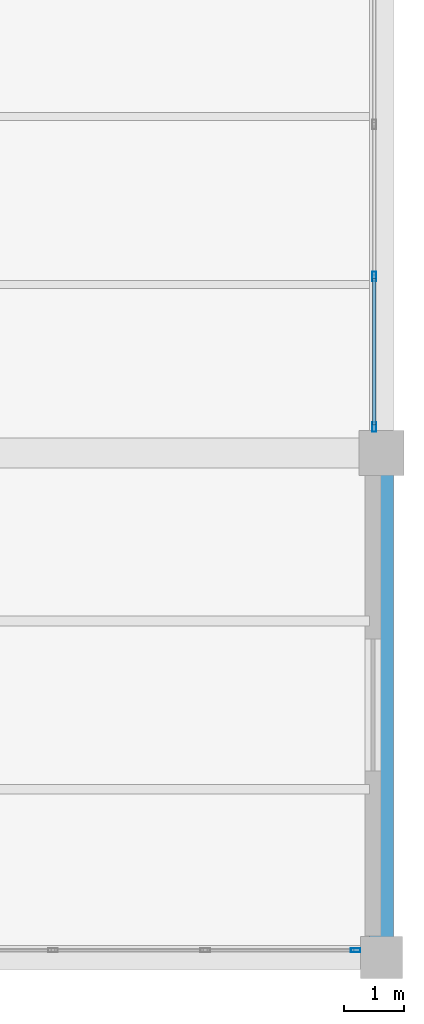
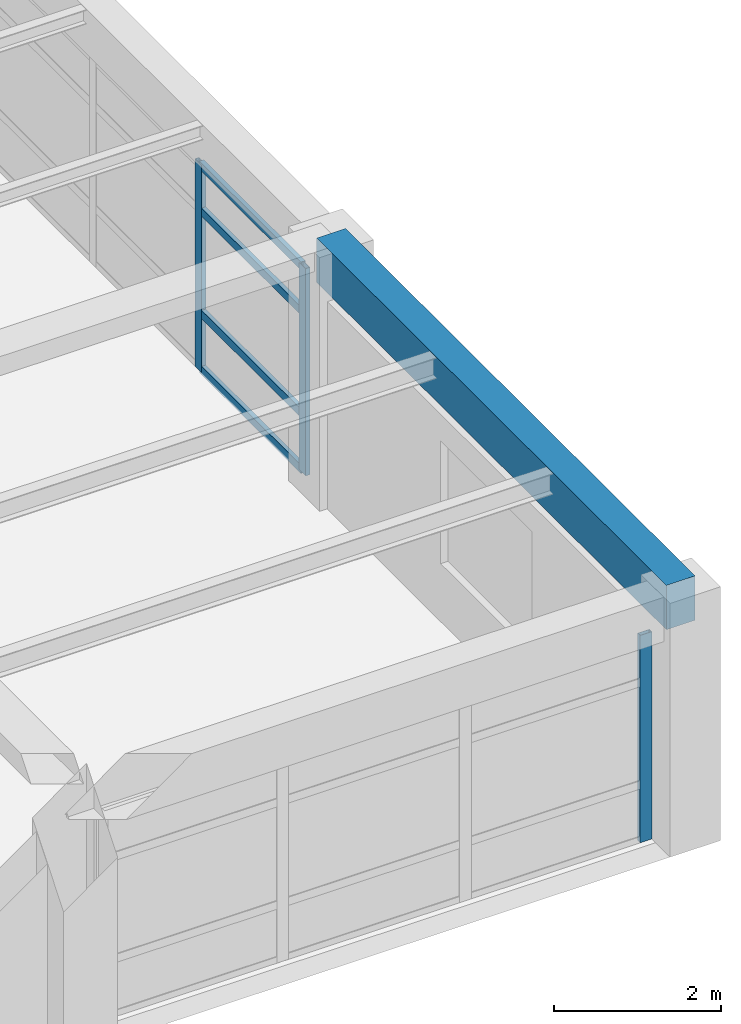
# One storey, part 15 of 31: 7 members, 1 beam, 2 elements without a shape of their own.
"""IFC4 building model written with IfcOpenShell, lengths in metres."""

import ifcopenshell
import ifcopenshell.guid

model = None  # the IFC model being written
_history = None  # IfcOwnerHistory: only IFC2X3 demands one
_inside = {}  # id of a spatial element -> (the spatial element, [elements in it])
_under = {}  # id of a project, library or spatial element -> (it, [spatial elements below it])
_declared = {}  # id of a project -> (the project, [libraries it declares])
_typed = {}  # id of a type object -> (the type object, [elements of that type])
_made_of = {}  # id of a material, layer set ... -> (it, [elements and type objects made of it])


def new_model(schema):
    """Start an empty IFC model of exactly this schema.

    Asked for "IFC4X3", IfcOpenShell would pick the latest addendum, in which some entities
    have other attributes; the version numbers below select the first issue.
    IFC2X3 requires an IfcOwnerHistory on every rooted entity: one is made here for all.
    """
    global model, _history
    if schema == "IFC4X3":
        model = ifcopenshell.file(schema_version=(4, 3, 0, 0))
    else:
        model = ifcopenshell.file(schema=schema)
    _inside.clear()
    _under.clear()
    _declared.clear()
    _typed.clear()
    _made_of.clear()
    _history = None
    if model.schema == "IFC2X3":
        org = make("IfcOrganization", Name="unknown")
        user = make(
            "IfcPersonAndOrganization",
            ThePerson=make("IfcPerson", FamilyName="unknown"),
            TheOrganization=org,
        )
        app = make(
            "IfcApplication",
            ApplicationDeveloper=org,
            Version="unknown",
            ApplicationFullName="unknown",
            ApplicationIdentifier="unknown",
        )
        _history = make(
            "IfcOwnerHistory",
            OwningUser=user,
            OwningApplication=app,
            ChangeAction="ADDED",
            CreationDate=0,
        )
    return model


def make(cls, **values):
    """One entity of the class cls with the attributes given. An attribute that is None is left unset."""
    return model.create_entity(
        cls, **{name: value for name, value in values.items() if value is not None}
    )


def rooted(cls, **values):
    """An entity with a GlobalId (a new one), such as an element, a storey or a relation."""
    return make(cls, GlobalId=ifcopenshell.guid.new(), OwnerHistory=_history, **values)


def si_unit(unit_type, name, prefix=None):
    """IfcSIUnit, for example si_unit("LENGTHUNIT", "METRE", prefix="MILLI")."""
    return make("IfcSIUnit", UnitType=unit_type, Prefix=prefix, Name=name)


def assignment(units):
    """IfcUnitAssignment: the units of a project."""
    return None if units is None else make("IfcUnitAssignment", Units=units)


def point(xyz):
    """IfcCartesianPoint."""
    return None if xyz is None else make("IfcCartesianPoint", Coordinates=xyz)


def direction(xyz):
    """IfcDirection."""
    return None if xyz is None else make("IfcDirection", DirectionRatios=xyz)


def frame(location, z_axis=None, x_axis=None):
    """IfcAxis2Placement3D, a coordinate frame: its origin and axes. An axis left out is left unset."""
    return make(
        "IfcAxis2Placement3D",
        Location=point(location),
        Axis=direction(z_axis),
        RefDirection=direction(x_axis),
    )


def frame_2d(location, x_axis=None):
    """IfcAxis2Placement2D, a coordinate frame in the plane: its origin and x axis."""
    return make(
        "IfcAxis2Placement2D", Location=point(location), RefDirection=direction(x_axis)
    )


def origin():
    """The frame at (0, 0, 0) with its axes left unset."""
    return frame((0.0, 0.0, 0.0))


def origin_2d():
    """The frame at (0, 0) in the plane with its x axis left unset."""
    return frame_2d((0.0, 0.0))


def place(relative_to, where):
    """IfcLocalPlacement: puts the frame where relative to a parent placement (None: the world)."""
    return make(
        "IfcLocalPlacement", PlacementRelTo=relative_to, RelativePlacement=where
    )


def context(
    kind, dimensions, precision=None, world=None, true_north=None, identifier=None
):
    """IfcGeometricRepresentationContext, for example the 3D "Model" context."""
    return make(
        "IfcGeometricRepresentationContext",
        ContextIdentifier=identifier,
        ContextType=kind,
        CoordinateSpaceDimension=dimensions,
        Precision=precision,
        WorldCoordinateSystem=world,
        TrueNorth=true_north,
    )


def subcontext(parent, identifier, kind, view, scale=None):
    """IfcGeometricRepresentationSubContext, for example "Body" below "Model"."""
    return make(
        "IfcGeometricRepresentationSubContext",
        ContextIdentifier=identifier,
        ContextType=kind,
        ParentContext=parent,
        TargetScale=scale,
        TargetView=view,
    )


def project(units=None, contexts=None):
    """IfcProject with its units and contexts."""
    return rooted(
        "IfcProject",
        Name="project",
        RepresentationContexts=contexts,
        UnitsInContext=assignment(units),
    )


def spatial(cls, under=None, at=None, **own):
    """A site, building, storey or space (cls), placed at a placement, below another one or the project."""
    s = rooted(cls, ObjectPlacement=at, **own)
    if under is not None:
        _under.setdefault(under.id(), (under, []))[1].append(s)
    return s


def profile(cls, at=None, kind="AREA", **sizes):
    """A parametric profile (cls). Its sizes go by their IFC names, for example OverallWidth=200.0."""
    return make(cls, ProfileType=kind, Position=at, **sizes)


def rectangle(**sizes):
    """IfcRectangleProfileDef."""
    return profile("IfcRectangleProfileDef", **sizes)


def hollow_rectangle(**sizes):
    """IfcRectangleHollowProfileDef."""
    return profile("IfcRectangleHollowProfileDef", **sizes)


def extrude(swept, where, along, depth):
    """IfcExtrudedAreaSolid: the profile swept, set in the frame where, extruded along a direction by depth."""
    return make(
        "IfcExtrudedAreaSolid",
        SweptArea=swept,
        Position=where,
        ExtrudedDirection=direction(along),
        Depth=depth,
    )


def shape(context_of_items, identifier, shape_type, items):
    """IfcShapeRepresentation: the items that make up one representation, for example the "Body"."""
    return make(
        "IfcShapeRepresentation",
        ContextOfItems=context_of_items,
        RepresentationIdentifier=identifier,
        RepresentationType=shape_type,
        Items=items,
    )


def material(Name=None, Category=None):
    """IfcMaterial."""
    return make("IfcMaterial", Name=Name, Category=Category)


def material_profile(
    of_material, cross_section, Name=None, Category=None, Priority=None
):
    """IfcMaterialProfile: a cross section and its material."""
    return make(
        "IfcMaterialProfile",
        Name=Name,
        Material=of_material,
        Profile=cross_section,
        Priority=Priority,
        Category=Category,
    )


def profile_set(profiles, Name=None, composite=None):
    """IfcMaterialProfileSet."""
    return make(
        "IfcMaterialProfileSet",
        Name=Name,
        MaterialProfiles=profiles,
        CompositeProfile=composite,
    )


def made_of(thing, what):
    """Note that an element or type object is made of a material, layer set ...; save() writes the relation."""
    if what is not None:
        _made_of.setdefault(what.id(), (what, []))[1].append(thing)
    return thing


def type_object(cls, material=None, **own):
    """A type object (cls), such as IfcWallType, which elements share."""
    return made_of(rooted(cls, **own), material)


def element(
    cls,
    number,
    at=None,
    inside=None,
    cuts=None,
    type_object=None,
    material=None,
    context=None,
    identifier="Body",
    shape_type=None,
    held_by="IfcProductDefinitionShape",
    body=None,
    shapes=None,
    **own,
):
    """One element of the class cls, such as IfcWall. Its Tag is "e" and its number.

    at: its placement. inside: the storey or other place that contains it. cuts: it is an
    opening in that element (IfcRelVoidsElement). A single representation is given by context,
    identifier, shape_type and body (its items); several are given by shapes. held_by: the class
    of the entity that holds the representations. save() writes the other relations.
    """
    e = rooted(cls, Tag="e%d" % number, ObjectPlacement=at, **own)
    if body is not None:
        shapes = [shape(context, identifier, shape_type, body)]
    if shapes is not None:
        e.Representation = make(held_by, Representations=shapes)
    if inside is not None:
        _inside.setdefault(inside.id(), (inside, []))[1].append(e)
    if cuts is not None:
        rooted(
            "IfcRelVoidsElement", RelatingBuildingElement=cuts, RelatedOpeningElement=e
        )
    if type_object is not None:
        _typed.setdefault(type_object.id(), (type_object, []))[1].append(e)
    return made_of(e, material)


def aggregate(whole, parts):
    """IfcRelAggregates: a whole, such as a stair, and the parts it consists of."""
    return rooted("IfcRelAggregates", RelatingObject=whole, RelatedObjects=parts)


def save(model, path):
    """Write the relations noted so far, then the file.

    IfcRelAggregates (storeys below a building ...), IfcRelContainedInSpatialStructure (elements
    in a storey), IfcRelDefinesByType, IfcRelAssociatesMaterial and IfcRelDeclares: one each for
    every whole, place, type object, material and project.
    """
    for whole, parts in _under.values():
        aggregate(whole, parts)
    for where, things in _inside.values():
        rooted(
            "IfcRelContainedInSpatialStructure",
            RelatedElements=things,
            RelatingStructure=where,
        )
    for kind, things in _typed.values():
        rooted("IfcRelDefinesByType", RelatedObjects=things, RelatingType=kind)
    for what, things in _made_of.values():
        rooted("IfcRelAssociatesMaterial", RelatedObjects=things, RelatingMaterial=what)
    for by, libraries in _declared.values():
        rooted("IfcRelDeclares", RelatingContext=by, RelatedDefinitions=libraries)
    model.write(path)


model = new_model("IFC4")

# Units and contexts
model_context = context("Model", 3, precision=1e-05, world=origin(), true_north=direction((0.0, 1.0)))
body_context = subcontext(model_context, "Body", "Model", "MODEL_VIEW")
ifc_project = project(units=[si_unit("LENGTHUNIT", "METRE"), si_unit("AREAUNIT", "SQUARE_METRE"), si_unit("VOLUMEUNIT", "CUBIC_METRE"), si_unit("PLANEANGLEUNIT", "RADIAN"), si_unit("MASSUNIT", "GRAM", prefix="KILO")], contexts=[model_context])

# Site, building, storey
site_placement = place(None, origin())
site = spatial("IfcSite", under=ifc_project, at=site_placement, CompositionType="ELEMENT")
building_placement = place(site_placement, origin())
building = spatial("IfcBuilding", under=site, at=building_placement, Name="Almacenes y Pasaje Nevantli", CompositionType="ELEMENT")
storey_placement = place(building_placement, frame((0.0, 0.0, 34.699951171875)))
storey = spatial("IfcBuildingStorey", under=building, at=storey_placement, Name="L08", CompositionType="ELEMENT", Elevation=34.699951171875)

# Beam
ifc_material_1 = material(Name="Concrete C35/45", Category="concrete")
ifc_material_profile_1 = material_profile(ifc_material_1, rectangle(XDim=0.39990234375, YDim=0.64990234375, at=origin_2d()), Name="RC-BM-400x650")
ifc_profile_set_1 = profile_set([ifc_material_profile_1], Name="Concrete C35/45")
beam_type = type_object("IfcBeamType", Name="BM-RC-400x650", PredefinedType="SPANDREL", material=ifc_profile_set_1)
beam_placement = place(storey_placement, frame((159.60009765625, 67.199951171875, 3.39501953125), z_axis=(0.0, 1.0, 0.0), x_axis=(-1.0, 0.0, 0.0)))
element("IfcBeam", 1, at=beam_placement, inside=storey, type_object=beam_type, Name="L08 North-South Reinforced Concrete Beam #3737", PredefinedType="SPANDREL", context=body_context, shape_type="SweptSolid", body=[
    extrude(rectangle(XDim=0.39990234375, YDim=0.64990234375, at=origin_2d()), origin(), (0.0, 0.0, 1.0), 8.400146484375),
])

# Curtain wall, member
ifc_material_2 = material(Name="Thermally Broken Aluminium and Low-E Glass", Category="aluminium")
curtain_wall_type = type_object("IfcCurtainWallType", Name="CW-UNIT-TOWER", PredefinedType="USERDEFINED", material=ifc_material_2)
curtain_wall_1_placement = place(storey_placement, origin())
curtain_wall_1 = element("IfcCurtainWall", 2, at=curtain_wall_1_placement, inside=storey, type_object=curtain_wall_type, Name="L08 Tower South Unitized Curtain Wall Bay 19", ObjectType="UNITIZED CURTAIN WALL", PredefinedType="USERDEFINED")
ifc_material_3 = material(Name="Thermally Broken Anodized Aluminium", Category="aluminium")
ifc_material_profile_2 = material_profile(ifc_material_3, hollow_rectangle(XDim=0.06005859375, YDim=0.159912109375, WallThickness=0.00390625, at=origin_2d()), Name="ALU-MUL-60x160")
ifc_profile_set_2 = profile_set([ifc_material_profile_2], Name="Thermally Broken Anodized Aluminium")
member_type_1 = type_object("IfcMemberType", Name="CW-MUL-180", PredefinedType="MULLION", material=ifc_profile_set_2)
member_1_placement = place(storey_placement, frame((159.169921875, 67.320068359375, 0.0), z_axis=(0.0, 0.0, 1.0), x_axis=(0.0, 1.0, 0.0)))
member_1 = element("IfcMember", 3, at=member_1_placement, type_object=member_type_1, Name="CW-L08-126 mullion 4", PredefinedType="MULLION", context=body_context, shape_type="SweptSolid", body=[
    extrude(hollow_rectangle(XDim=0.06005859375, YDim=0.159912109375, WallThickness=0.00390625, at=origin_2d()), origin(), (0.0, 0.0, 1.0), 3.0400390625),
])
aggregate(curtain_wall_1, [member_1])

# Curtain wall, members
curtain_wall_2_placement = place(storey_placement, origin())
curtain_wall_2 = element("IfcCurtainWall", 4, at=curtain_wall_2_placement, inside=storey, type_object=curtain_wall_type, Name="L08 Tower East Curtain Wall Bay 10", ObjectType="UNITIZED CURTAIN WALL", PredefinedType="USERDEFINED")
member_2_placement = place(storey_placement, frame((159.47998046875, 76.030029296875, 0.0), z_axis=(0.0, 0.0, 1.0), x_axis=(-1.0, 0.0, 0.0)))
member_2 = element("IfcMember", 5, at=member_2_placement, type_object=member_type_1, Name="CW-L08-128 mullion 1", PredefinedType="MULLION", context=body_context, shape_type="SweptSolid", body=[
    extrude(hollow_rectangle(XDim=0.06005859375, YDim=0.159912109375, WallThickness=0.00390625, at=origin_2d()), origin(), (0.0, 0.0, 1.0), 3.0400390625),
])
member_3_placement = place(storey_placement, frame((159.47998046875, 78.533447265625, 0.0), z_axis=(0.0, 0.0, 1.0), x_axis=(-1.0, 0.0, 0.0)))
member_3 = element("IfcMember", 6, at=member_3_placement, type_object=member_type_1, Name="CW-L08-128 mullion 2", PredefinedType="MULLION", context=body_context, shape_type="SweptSolid", body=[
    extrude(hollow_rectangle(XDim=0.06005859375, YDim=0.159912109375, WallThickness=0.00390625, at=origin_2d()), origin(), (0.0, 0.0, 1.0), 3.0400390625),
])
ifc_material_4 = material(Name="Thermally Broken Anodized Aluminium", Category="aluminium")
ifc_material_profile_3 = material_profile(ifc_material_4, hollow_rectangle(XDim=0.06005859375, YDim=0.1201171875, WallThickness=0.00341796875, at=origin_2d()), Name="ALU-TRN-60x120")
ifc_profile_set_3 = profile_set([ifc_material_profile_3], Name="Thermally Broken Anodized Aluminium")
member_type_2 = type_object("IfcMemberType", Name="CW-TRN-130", PredefinedType="USERDEFINED", material=ifc_profile_set_3)
member_4_placement = place(storey_placement, frame((159.47998046875, 76.06005859375, 0.030029296875), z_axis=(0.0, 1.0, 0.0), x_axis=(-1.0, 0.0, 0.0)))
member_4 = element("IfcMember", 7, at=member_4_placement, type_object=member_type_2, Name="CW-L08-128 transom 1.1", ObjectType="TRANSOM", PredefinedType="USERDEFINED", context=body_context, shape_type="SweptSolid", body=[
    extrude(hollow_rectangle(XDim=0.06005859375, YDim=0.1201171875, WallThickness=0.00341796875, at=origin_2d()), origin(), (0.0, 0.0, 1.0), 2.443359375),
])
member_5_placement = place(storey_placement, frame((159.47998046875, 76.06005859375, 0.85009765625), z_axis=(0.0, 1.0, 0.0), x_axis=(-1.0, 0.0, 0.0)))
member_5 = element("IfcMember", 8, at=member_5_placement, type_object=member_type_2, Name="CW-L08-128 transom 1.2", ObjectType="TRANSOM", PredefinedType="USERDEFINED", context=body_context, shape_type="SweptSolid", body=[
    extrude(hollow_rectangle(XDim=0.06005859375, YDim=0.1201171875, WallThickness=0.00341796875, at=origin_2d()), origin(), (0.0, 0.0, 1.0), 2.443359375),
])
member_6_placement = place(storey_placement, frame((159.47998046875, 76.06005859375, 2.35009765625), z_axis=(0.0, 1.0, 0.0), x_axis=(-1.0, 0.0, 0.0)))
member_6 = element("IfcMember", 9, at=member_6_placement, type_object=member_type_2, Name="CW-L08-128 transom 1.3", ObjectType="TRANSOM", PredefinedType="USERDEFINED", context=body_context, shape_type="SweptSolid", body=[
    extrude(hollow_rectangle(XDim=0.06005859375, YDim=0.1201171875, WallThickness=0.00341796875, at=origin_2d()), origin(), (0.0, 0.0, 1.0), 2.443359375),
])
member_7_placement = place(storey_placement, frame((159.47998046875, 76.06005859375, 3.010009765625), z_axis=(0.0, 1.0, 0.0), x_axis=(-1.0, 0.0, 0.0)))
member_7 = element("IfcMember", 10, at=member_7_placement, type_object=member_type_2, Name="CW-L08-128 transom 1.4", ObjectType="TRANSOM", PredefinedType="USERDEFINED", context=body_context, shape_type="SweptSolid", body=[
    extrude(hollow_rectangle(XDim=0.06005859375, YDim=0.1201171875, WallThickness=0.00341796875, at=origin_2d()), origin(), (0.0, 0.0, 1.0), 2.443359375),
])
aggregate(curtain_wall_2, [member_2, member_3, member_4, member_5, member_6, member_7])

save(model, "model.ifc")
